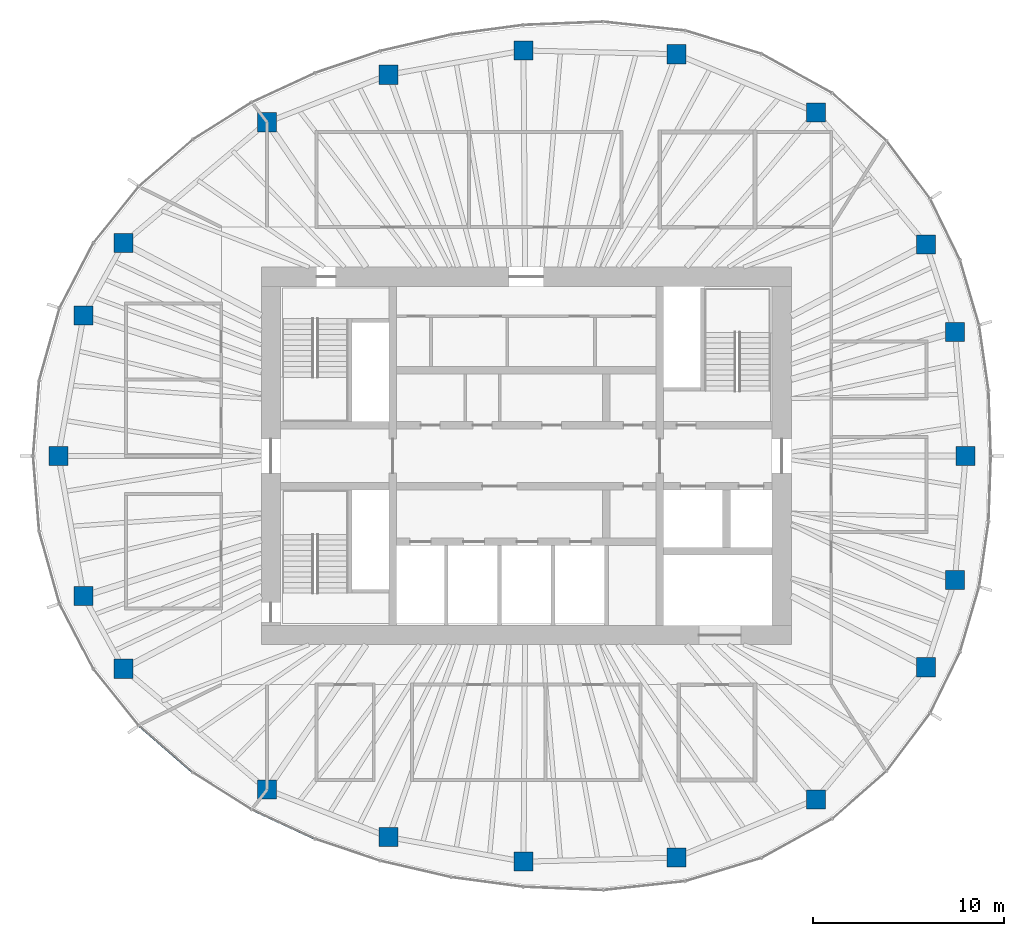
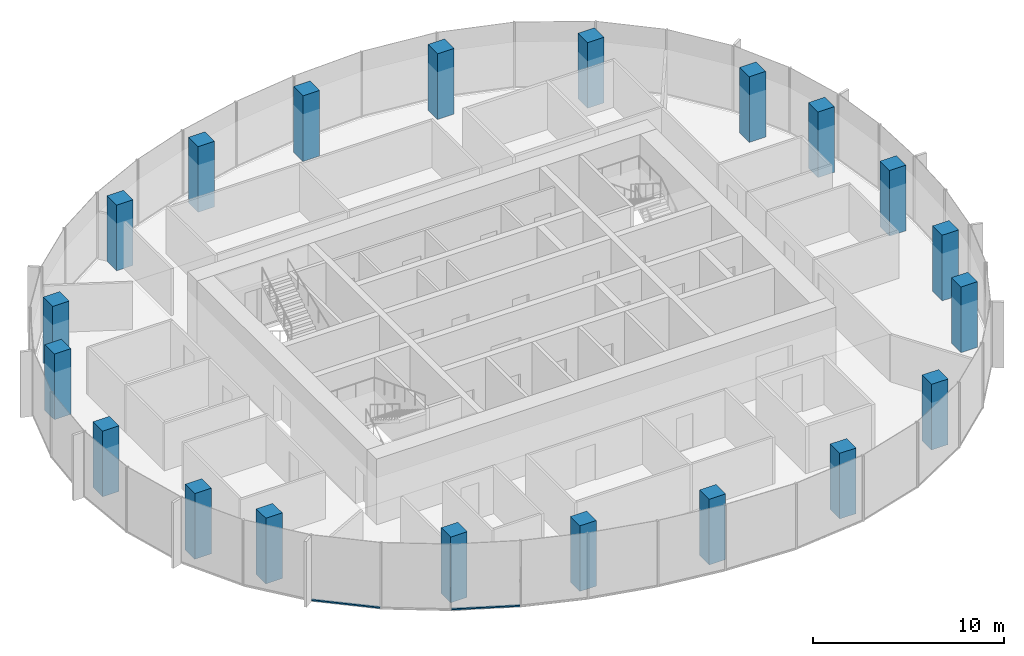
# One storey, part 1 of 12: 20 columns, 2 members, 2 elements without a shape of their own.
"""IFC4 building model written with IfcOpenShell, lengths in metres."""

from ifc_helpers import new_model, si_unit, direction, frame, origin, origin_2d, place, context, subcontext, project, spatial, rectangle, extrude, material, material_profile, profile_set, type_object, element, aggregate, save


model = new_model("IFC4")

# Units and contexts
model_context = context("Model", 3, precision=1e-05, world=origin(), true_north=direction((0.0, 1.0)))
body_context = subcontext(model_context, "Body", "Model", "MODEL_VIEW")
ifc_project = project(units=[si_unit("LENGTHUNIT", "METRE"), si_unit("AREAUNIT", "SQUARE_METRE"), si_unit("VOLUMEUNIT", "CUBIC_METRE"), si_unit("PLANEANGLEUNIT", "RADIAN"), si_unit("MASSUNIT", "GRAM", prefix="KILO")], contexts=[model_context])

# Site, building, storey
site_placement = place(None, origin())
site = spatial("IfcSite", under=ifc_project, at=site_placement, CompositionType="ELEMENT")
building_placement = place(site_placement, origin())
building = spatial("IfcBuilding", under=site, at=building_placement, Name="Ghaith Harvest Tower", CompositionType="ELEMENT")
storey_placement = place(building_placement, frame((0.0, 0.0, 304.800048828125)))
storey = spatial("IfcBuildingStorey", under=building, at=storey_placement, Name="L68", CompositionType="ELEMENT", Elevation=304.800048828125)

# Columns
ifc_material_1 = material(Name="Concrete C50/60", Category="concrete")
ifc_material_profile_1 = material_profile(ifc_material_1, rectangle(XDim=1.0, YDim=1.0, at=origin_2d()), Name="RC1000X1000")
ifc_profile_set_1 = profile_set([ifc_material_profile_1], Name="Concrete C50/60")
column_type = type_object("IfcColumnType", Name="TC8 RC1000X1000", PredefinedType="COLUMN", material=ifc_profile_set_1)
for number, where, z_axis, x_axis, name in (
    (1, (23.050048828125, 0.0, 0.0), (0.0, 0.0, 1.0), (1.0, 0.0, 0.0), "Perimeter column C01"),
    (2, (22.485107421875, 6.4990234375, 0.0), (0.0, 0.0, 1.0), (1.0, 0.0, 0.0), "Perimeter column C02"),
    (3, (20.97705078125, 11.087890625, 0.0), (0.0, 0.0, 1.0), (1.0, 0.0, 0.0), "Perimeter column C03"),
    (4, (15.197998046875, 18.02294921875, 0.0), (0.0, 0.0, 1.0), (1.0, 0.0, 0.0), "Perimeter column C04"),
    (5, (7.8779296875, 21.072021484375, 0.0), (0.0, 0.0, 1.0), (1.0, 0.0, 0.0), "Perimeter column C05"),
    (6, (-0.14599609375, 21.27099609375, 0.0), (0.0, 0.0, 1.0), (1.0, 0.0, 0.0), "Perimeter column C06"),
    (7, (-7.221923828125, 19.9970703125, 0.0), (0.0, 0.0, 1.0), (1.0, 0.0, 0.0), "Perimeter column C07"),
    (8, (-13.594970703125, 17.5048828125, 0.0), (0.0, 0.0, 1.0), (1.0, 0.0, 0.0), "Perimeter column C08"),
    (9, (-21.125, 11.166015625, 0.0), (0.0, 0.0, 1.0), (1.0, 0.0, 0.0), "Perimeter column C09"),
    (10, (-23.22412109375, 7.360107421875, 0.0), (0.0, 0.0, 1.0), (1.0, 0.0, 0.0), "Perimeter column C10"),
    (11, (-24.550048828125, 0.0, 0.0), (0.0, 0.0, 1.0), (1.0, 0.0, 0.0), "Perimeter column C11"),
    (12, (-23.22412109375, -7.360107421875, 0.0), (0.0, 0.0, 1.0), (1.0, 0.0, 0.0), "Perimeter column C12"),
    (13, (-21.125, -11.166015625, 0.0), (0.0, 0.0, 1.0), (1.0, 0.0, 0.0), "Perimeter column C13"),
    (14, (-13.594970703125, -17.5048828125, 0.0), (0.0, 0.0, 1.0), (1.0, 0.0, 0.0), "Perimeter column C14"),
    (15, (-7.221923828125, -19.9970703125, 0.0), (0.0, 0.0, 1.0), (1.0, 0.0, 0.0), "Perimeter column C15"),
    (16, (-0.14599609375, -21.285888671875, 0.0), (0.0, 0.0, 1.0), (1.0, 0.0, 0.0), "Perimeter column C16"),
    (17, (7.8779296875, -21.072021484375, 0.0), (0.0, 0.0, 1.0), (1.0, 0.0, 0.0), "Perimeter column C17"),
    (18, (15.197998046875, -18.02294921875, 0.0), (0.0, 0.0, 1.0), (1.0, 0.0, 0.0), "Perimeter column C18"),
    (19, (20.97705078125, -11.087890625, 0.0), (0.0, 0.0, 1.0), (1.0, 0.0, 0.0), "Perimeter column C19"),
    (20, (22.485107421875, -6.4990234375, 0.0), (0.0, 0.0, 1.0), (1.0, 0.0, 0.0), "Perimeter column C20"),
):
    element("IfcColumn", number, at=place(storey_placement, frame(where, z_axis=z_axis, x_axis=x_axis)), inside=storey, type_object=column_type, Name=name, PredefinedType="COLUMN", context=body_context, shape_type="SweptSolid", body=[
        extrude(rectangle(XDim=1.0, YDim=1.0, at=origin_2d()), origin(), (0.0, 0.0, 1.0), 4.199951171875),
    ])

# Curtain wall, member
ifc_material_2 = material(Name="Black anodised aluminium and fritted glass", Category="aluminium")
curtain_wall_type = type_object("IfcCurtainWallType", Name="CW-T CURTAIN WALL", PredefinedType="NOTDEFINED", material=ifc_material_2)
curtain_wall_1_placement = place(storey_placement, origin())
curtain_wall_1 = element("IfcCurtainWall", 21, at=curtain_wall_1_placement, inside=storey, type_object=curtain_wall_type, Name="Curtain wall CW-T bay 13 L68", PredefinedType="NOTDEFINED")
ifc_material_3 = material(Name="Aluminium, black anodised", Category="aluminium")
ifc_material_profile_2 = material_profile(ifc_material_3, rectangle(XDim=0.1201171875, YDim=0.080078125, at=origin_2d()), Name="CW-T TRANSOM 120x80")
ifc_profile_set_2 = profile_set([ifc_material_profile_2], Name="Aluminium, black anodised")
member_type = type_object("IfcMemberType", Name="CW-T TRANSOM 120x80", PredefinedType="USERDEFINED", material=ifc_profile_set_2)
member_1_placement = place(storey_placement, frame((-20.294189453125, -14.168212890625, 0.0400390625), z_axis=(0.754851889287, -0.65589528527, 0.0), x_axis=(0.65589528527, 0.754851889287, 0.0)))
member_1 = element("IfcMember", 22, at=member_1_placement, type_object=member_type, Name="CW-T transom 1 bay 13 L68", ObjectType="TRANSOM", PredefinedType="USERDEFINED", context=body_context, shape_type="SweptSolid", body=[
    extrude(rectangle(XDim=0.1201171875, YDim=0.080078125, at=origin_2d()), origin(), (0.0, 0.0, 1.0), 3.668701171875),
])
aggregate(curtain_wall_1, [member_1])

curtain_wall_2_placement = place(storey_placement, origin())
curtain_wall_2 = element("IfcCurtainWall", 23, at=curtain_wall_2_placement, inside=storey, type_object=curtain_wall_type, Name="Curtain wall CW-T bay 14 L68", PredefinedType="NOTDEFINED")
member_2_placement = place(storey_placement, frame((-14.36865234375, -18.564697265625, 0.0400390625), z_axis=(0.907472177056, -0.420112184862, 0.0), x_axis=(0.420112184862, 0.907472177056, 0.0)))
member_2 = element("IfcMember", 24, at=member_2_placement, type_object=member_type, Name="CW-T transom 1 bay 14 L68", ObjectType="TRANSOM", PredefinedType="USERDEFINED", context=body_context, shape_type="SweptSolid", body=[
    extrude(rectangle(XDim=0.1201171875, YDim=0.080078125, at=origin_2d()), origin(), (0.0, 0.0, 1.0), 3.597900390625),
])
aggregate(curtain_wall_2, [member_2])

save(model, "model.ifc")
